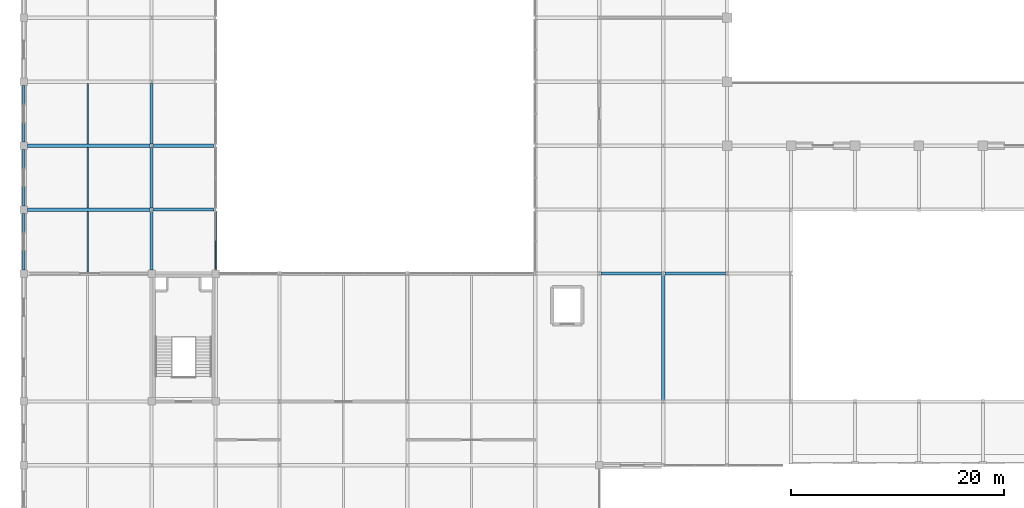
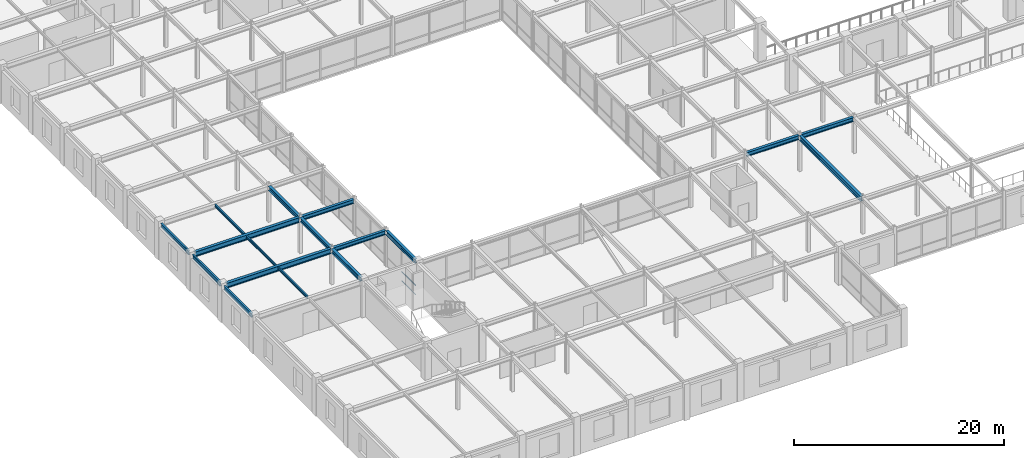
# One storey, part 38 of 108: 17 beams, 3 members, 1 element without a shape of its own.
"""IFC4 building model written with IfcOpenShell, lengths in metres."""

from ifc_helpers import new_model, si_unit, direction, frame, origin, origin_2d, place, context, subcontext, project, spatial, hollow_rectangle, i_section, extrude, material, layer, layer_set, material_profile, profile_set, type_object, element, aggregate, save


model = new_model("IFC4")

# Units and contexts
model_context = context("Model", 3, precision=1e-05, world=origin(), true_north=direction((0.0, 1.0)))
body_context = subcontext(model_context, "Body", "Model", "MODEL_VIEW")
ifc_project = project(units=[si_unit("LENGTHUNIT", "METRE"), si_unit("AREAUNIT", "SQUARE_METRE"), si_unit("VOLUMEUNIT", "CUBIC_METRE"), si_unit("PLANEANGLEUNIT", "RADIAN"), si_unit("MASSUNIT", "GRAM", prefix="KILO")], contexts=[model_context])

# Site, building, storey
site_placement = place(None, origin())
site = spatial("IfcSite", under=ifc_project, at=site_placement, CompositionType="ELEMENT")
building_placement = place(site_placement, origin())
building = spatial("IfcBuilding", under=site, at=building_placement, Name="Zlatovratsky Civic Hall", CompositionType="ELEMENT")
storey_placement = place(building_placement, frame((0.0, 0.0, 12.0)))
storey = spatial("IfcBuildingStorey", under=building, at=storey_placement, Name="L03", CompositionType="ELEMENT", Elevation=12.0)

# Beams
ifc_material_1 = material(Name="Steel S355", Category="steel")
ifc_material_profile_1 = material_profile(ifc_material_1, i_section(OverallWidth=0.300048828125, OverallDepth=0.48193359375, WebThickness=0.010986328125, FlangeThickness=0.014892578125, FilletRadius=0.02392578125, at=origin_2d()), Name="50Sh1")
ifc_profile_set_1 = profile_set([ifc_material_profile_1], Name="Steel S355")
beam_type_1 = type_object("IfcBeamType", Name="Beam_LibraryGirder_50Sh1", PredefinedType="BEAM", material=ifc_profile_set_1)
for number, where, z_axis, x_axis, name in (
    (1, (54.1494140625, 30.0, 3.97900390625), (1.0, 0.0, 0.0), (0.0, 1.0, 0.0), "BM-2531"),
    (2, (60.1494140625, 30.0, 3.97900390625), (1.0, 0.0, 0.0), (0.0, 1.0, 0.0), "BM-2532"),
    (3, (12.1494140625, 36.0, 3.97900390625), (1.0, 0.0, 0.0), (0.0, 1.0, 0.0), "BM-2544"),
    (4, (12.1494140625, 42.0, 3.97900390625), (1.0, 0.0, 0.0), (0.0, 1.0, 0.0), "BM-2560"),
):
    element("IfcBeam", number, at=place(storey_placement, frame(where, z_axis=z_axis, x_axis=x_axis)), inside=storey, type_object=beam_type_1, Name=name, PredefinedType="BEAM", context=body_context, shape_type="SweptSolid", body=[
        extrude(i_section(OverallWidth=0.300048828125, OverallDepth=0.48193359375, WebThickness=0.010986328125, FlangeThickness=0.014892578125, FilletRadius=0.02392578125, at=origin_2d()), origin(), (0.0, 0.0, 1.0), 5.701171875),
    ])
beam_1_placement = place(storey_placement, frame((12.0, 30.35009765625, 3.97900390625), z_axis=(0.0, 1.0, 0.0), x_axis=(-1.0, 0.0, 0.0)))
element("IfcBeam", 5, at=beam_1_placement, inside=storey, type_object=beam_type_1, Name="BM-2813", PredefinedType="BEAM", context=body_context, shape_type="SweptSolid", body=[
    extrude(i_section(OverallWidth=0.300048828125, OverallDepth=0.48193359375, WebThickness=0.010986328125, FlangeThickness=0.014892578125, FilletRadius=0.02392578125, at=origin_2d()), origin(), (0.0, 0.0, 1.0), 5.501953125),
])
for number, where, z_axis, x_axis, name in (
    (6, (12.0, 36.14794921875, 3.97900390625), (0.0, 1.0, 0.0), (-1.0, 0.0, 0.0), "BM-2814"),
    (7, (12.0, 42.14794921875, 3.97900390625), (0.0, 1.0, 0.0), (-1.0, 0.0, 0.0), "BM-2815"),
):
    element("IfcBeam", number, at=place(storey_placement, frame(where, z_axis=z_axis, x_axis=x_axis)), inside=storey, type_object=beam_type_1, Name=name, PredefinedType="BEAM", context=body_context, shape_type="SweptSolid", body=[
        extrude(i_section(OverallWidth=0.300048828125, OverallDepth=0.48193359375, WebThickness=0.010986328125, FlangeThickness=0.014892578125, FilletRadius=0.02392578125, at=origin_2d()), origin(), (0.0, 0.0, 1.0), 5.7041015625),
    ])
beam_2_placement = place(storey_placement, frame((18.0, 30.35009765625, 3.97900390625), z_axis=(0.0, 1.0, 0.0), x_axis=(-1.0, 0.0, 0.0)))
element("IfcBeam", 8, at=beam_2_placement, inside=storey, type_object=beam_type_1, Name="BM-2830", PredefinedType="BEAM", context=body_context, shape_type="SweptSolid", body=[
    extrude(i_section(OverallWidth=0.300048828125, OverallDepth=0.48193359375, WebThickness=0.010986328125, FlangeThickness=0.014892578125, FilletRadius=0.02392578125, at=origin_2d()), origin(), (0.0, 0.0, 1.0), 5.501953125),
])
ifc_material_profile_2 = material_profile(ifc_material_1, i_section(OverallWidth=0.320068359375, OverallDepth=0.58203125, WebThickness=0.011962890625, FlangeThickness=0.01708984375, FilletRadius=0.02392578125, at=origin_2d()), Name="60Sh1")
ifc_profile_set_2 = profile_set([ifc_material_profile_2], Name="Steel S355")
beam_type_2 = type_object("IfcBeamType", Name="Beam_PodiumGirder_60Sh1", PredefinedType="BEAM", material=ifc_profile_set_2)
for number, where, z_axis, x_axis, name in (
    (9, (0.35009765625, 36.0, 3.928955078125), (1.0, 0.0, 0.0), (0.0, 1.0, 0.0), "BM-2543"),
    (10, (0.35009765625, 42.0, 3.928955078125), (1.0, 0.0, 0.0), (0.0, 1.0, 0.0), "BM-2559"),
):
    element("IfcBeam", number, at=place(storey_placement, frame(where, z_axis=z_axis, x_axis=x_axis)), inside=storey, type_object=beam_type_2, Name=name, PredefinedType="BEAM", context=body_context, shape_type="SweptSolid", body=[
        extrude(i_section(OverallWidth=0.320068359375, OverallDepth=0.58203125, WebThickness=0.011962890625, FlangeThickness=0.01708984375, FilletRadius=0.02392578125, at=origin_2d()), origin(), (0.0, 0.0, 1.0), 11.50048828125),
    ])
beam_3_placement = place(storey_placement, frame((60.0, 18.14794921875, 3.928955078125), z_axis=(0.0, 1.0, 0.0), x_axis=(-1.0, 0.0, 0.0)))
element("IfcBeam", 11, at=beam_3_placement, inside=storey, type_object=beam_type_2, Name="BM-2901", PredefinedType="BEAM", context=body_context, shape_type="SweptSolid", body=[
    extrude(i_section(OverallWidth=0.320068359375, OverallDepth=0.58203125, WebThickness=0.011962890625, FlangeThickness=0.01708984375, FilletRadius=0.02392578125, at=origin_2d()), origin(), (0.0, 0.0, 1.0), 11.7041015625),
])
ifc_material_profile_3 = material_profile(ifc_material_1, i_section(OverallWidth=0.198974609375, OverallDepth=0.491943359375, WebThickness=0.0087890625, FlangeThickness=0.011962890625, FilletRadius=0.01611328125, at=origin_2d()), Name="50B1")
ifc_profile_set_3 = profile_set([ifc_material_profile_3], Name="Steel S355")
beam_type_3 = type_object("IfcBeamType", Name="Beam_Spandrel_50B1", PredefinedType="SPANDREL", material=ifc_profile_set_3)
for number, where, z_axis, x_axis, name in (
    (12, (0.0, 30.35009765625, 3.97412109375), (0.0, 1.0, 0.0), (-1.0, 0.0, 0.0), "BM-2796"),
    (13, (0.0, 36.35009765625, 3.97412109375), (0.0, 1.0, 0.0), (-1.0, 0.0, 0.0), "BM-2797"),
    (14, (0.0, 42.35009765625, 3.97412109375), (0.0, 1.0, 0.0), (-1.0, 0.0, 0.0), "BM-2798"),
):
    element("IfcBeam", number, at=place(storey_placement, frame(where, z_axis=z_axis, x_axis=x_axis)), inside=storey, type_object=beam_type_3, Name=name, PredefinedType="SPANDREL", context=body_context, shape_type="SweptSolid", body=[
        extrude(i_section(OverallWidth=0.198974609375, OverallDepth=0.491943359375, WebThickness=0.0087890625, FlangeThickness=0.011962890625, FilletRadius=0.01611328125, at=origin_2d()), origin(), (0.0, 0.0, 1.0), 5.2998046875),
    ])

# Curtain wall, members
ifc_material_2 = material(Name="Anodised bronze aluminium", Category="aluminium")
ifc_layer = layer(ifc_material_2, 0.159912109375)
ifc_layer_set = layer_set([ifc_layer], Name="Anodised bronze aluminium")
curtain_wall_type = type_object("IfcCurtainWallType", Name="CurtainWall_Bronze_5500x3770_10", PredefinedType="NOTDEFINED", material=ifc_layer_set)
curtain_wall_placement = place(storey_placement, origin())
curtain_wall = element("IfcCurtainWall", 15, at=curtain_wall_placement, inside=storey, type_object=curtain_wall_type, Name="CW-057", PredefinedType="NOTDEFINED")
ifc_material_profile_4 = material_profile(ifc_material_2, hollow_rectangle(XDim=0.06005859375, YDim=0.1201171875, WallThickness=0.00390625, at=origin_2d()), Name="ALU 60x120x4")
ifc_profile_set_4 = profile_set([ifc_material_profile_4], Name="Anodised bronze aluminium")
member_type = type_object("IfcMemberType", Name="CW_Transom_60x120", PredefinedType="USERDEFINED", material=ifc_profile_set_4)
member_1_placement = place(storey_placement, frame((18.0, 30.409912109375, 0.030029296875), z_axis=(0.0, 1.0, 0.0), x_axis=(-1.0, 0.0, 0.0)))
member_1 = element("IfcMember", 16, at=member_1_placement, type_object=member_type, Name="CW-10 transom 1.1", ObjectType="TRANSOM", PredefinedType="USERDEFINED", context=body_context, shape_type="SweptSolid", body=[
    extrude(hollow_rectangle(XDim=0.06005859375, YDim=0.1201171875, WallThickness=0.00390625, at=origin_2d()), origin(), (0.0, 0.0, 1.0), 2.6611328125),
])
member_2_placement = place(storey_placement, frame((18.0, 30.409912109375, 1.10009765625), z_axis=(0.0, 1.0, 0.0), x_axis=(-1.0, 0.0, 0.0)))
member_2 = element("IfcMember", 17, at=member_2_placement, type_object=member_type, Name="CW-10 transom 1.2", ObjectType="TRANSOM", PredefinedType="USERDEFINED", context=body_context, shape_type="SweptSolid", body=[
    extrude(hollow_rectangle(XDim=0.06005859375, YDim=0.1201171875, WallThickness=0.00390625, at=origin_2d()), origin(), (0.0, 0.0, 1.0), 2.6611328125),
])
member_3_placement = place(storey_placement, frame((18.0, 30.409912109375, 3.739990234375), z_axis=(0.0, 1.0, 0.0), x_axis=(-1.0, 0.0, 0.0)))
member_3 = element("IfcMember", 18, at=member_3_placement, type_object=member_type, Name="CW-10 transom 1.3", ObjectType="TRANSOM", PredefinedType="USERDEFINED", context=body_context, shape_type="SweptSolid", body=[
    extrude(hollow_rectangle(XDim=0.06005859375, YDim=0.1201171875, WallThickness=0.00390625, at=origin_2d()), origin(), (0.0, 0.0, 1.0), 2.6611328125),
])
aggregate(curtain_wall, [member_1, member_2, member_3])

# Beams
ifc_material_profile_5 = material_profile(ifc_material_1, i_section(OverallWidth=0.14892578125, OverallDepth=0.2958984375, WebThickness=0.005615234375, FlangeThickness=0.008056640625, FilletRadius=0.012939453125, at=origin_2d()), Name="30B1")
ifc_profile_set_5 = profile_set([ifc_material_profile_5], Name="Steel S355")
beam_type_4 = type_object("IfcBeamType", Name="Joist_Tower_30B1", PredefinedType="JOIST", material=ifc_profile_set_5)
for number, where, z_axis, x_axis, name in (
    (19, (6.0, 30.159912109375, 4.072021484375), (0.0, 1.0, 0.0), (-1.0, 0.0, 0.0), "BM-3138"),
    (20, (6.0, 36.159912109375, 4.072021484375), (0.0, 1.0, 0.0), (-1.0, 0.0, 0.0), "BM-3140"),
    (21, (6.0, 42.159912109375, 4.072021484375), (0.0, 1.0, 0.0), (-1.0, 0.0, 0.0), "BM-3142"),
):
    element("IfcBeam", number, at=place(storey_placement, frame(where, z_axis=z_axis, x_axis=x_axis)), inside=storey, type_object=beam_type_4, Name=name, PredefinedType="JOIST", context=body_context, shape_type="SweptSolid", body=[
        extrude(i_section(OverallWidth=0.14892578125, OverallDepth=0.2958984375, WebThickness=0.005615234375, FlangeThickness=0.008056640625, FilletRadius=0.012939453125, at=origin_2d()), origin(), (0.0, 0.0, 1.0), 5.68017578125),
    ])

save(model, "model.ifc")
